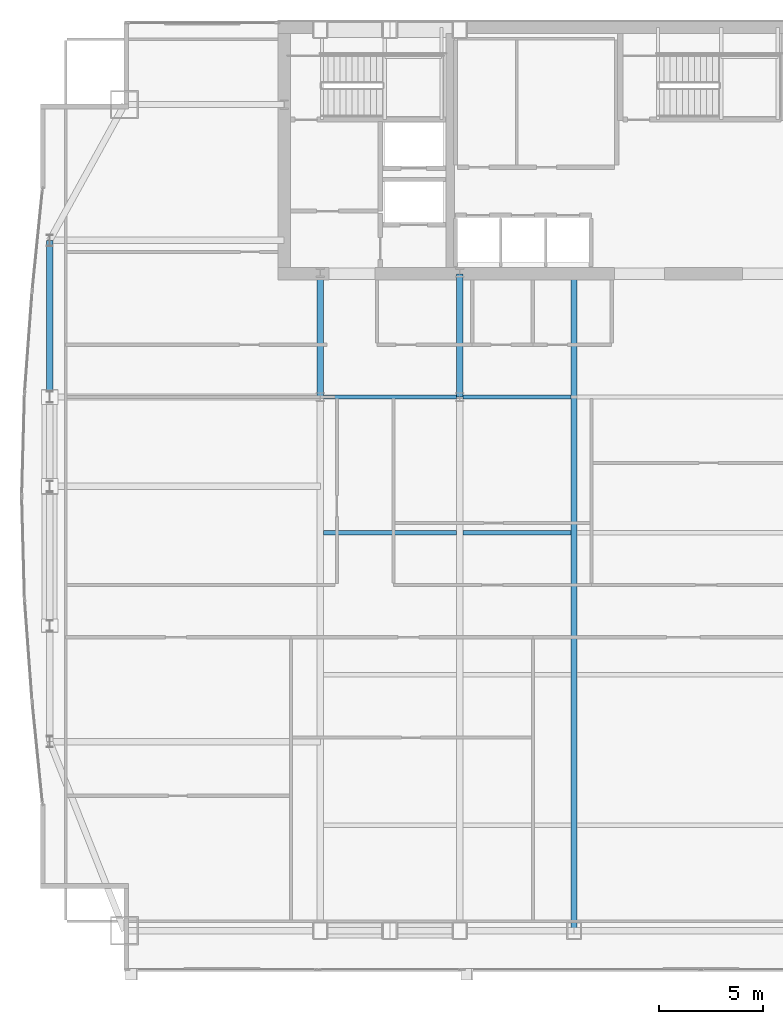
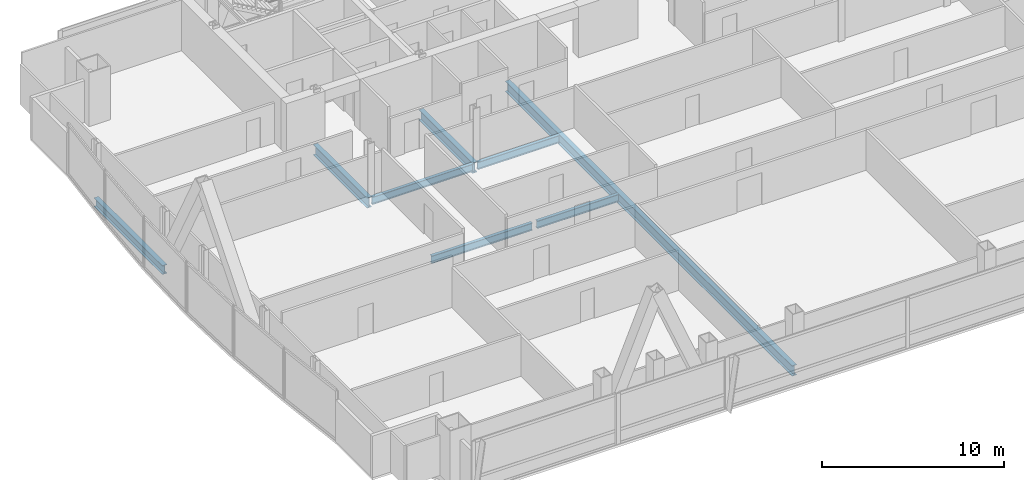
# One storey, part 12 of 29: 8 beams.
"""IFC4 building model written with IfcOpenShell, lengths in metres."""

from ifc_helpers import new_model, si_unit, direction, frame, origin, origin_2d, place, context, subcontext, project, spatial, i_section, extrude, material, material_profile, profile_set, type_object, element, save


model = new_model("IFC4")

# Units and contexts
model_context = context("Model", 3, precision=1e-05, world=origin(), true_north=direction((0.0, 1.0)))
body_context = subcontext(model_context, "Body", "Model", "MODEL_VIEW")
ifc_project = project(units=[si_unit("LENGTHUNIT", "METRE"), si_unit("AREAUNIT", "SQUARE_METRE"), si_unit("VOLUMEUNIT", "CUBIC_METRE"), si_unit("PLANEANGLEUNIT", "RADIAN"), si_unit("MASSUNIT", "GRAM", prefix="KILO")], contexts=[model_context])

# Site, building, storey
site_placement = place(None, origin())
site = spatial("IfcSite", under=ifc_project, at=site_placement, CompositionType="ELEMENT")
building_placement = place(site_placement, origin())
building = spatial("IfcBuilding", under=site, at=building_placement, Name="Khoronbel Lancet Exchange", CompositionType="ELEMENT")
storey_placement = place(building_placement, frame((0.0, 0.0, 180.60009765625)))
storey = spatial("IfcBuildingStorey", under=building, at=storey_placement, Name="L45", CompositionType="ELEMENT", Elevation=180.60009765625)

# Beams
ifc_material = material(Name="Steel S355", Category="steel")
ifc_material_profile_1 = material_profile(ifc_material, i_section(OverallWidth=0.300048828125, OverallDepth=0.699951171875, WebThickness=0.01708984375, FlangeThickness=0.031982421875, at=origin_2d()), Name="HEB 700")
ifc_profile_set_1 = profile_set([ifc_material_profile_1], Name="Steel S355")
beam_type_1 = type_object("IfcBeamType", Name="BM-BG3", PredefinedType="BEAM", material=ifc_profile_set_1)
for number, where, z_axis, x_axis, name in (
    (1, (18.22509765625, 35.699951171875, -0.510009765625), (0.0, 1.0, 0.0), (-1.0, 0.0, 0.0), "Level L45 spine tie girder GN1"),
    (2, (24.89990234375, 35.699951171875, -0.510009765625), (0.0, 1.0, 0.0), (-1.0, 0.0, 0.0), "Level L45 spine tie girder GN2"),
):
    element("IfcBeam", number, at=place(storey_placement, frame(where, z_axis=z_axis, x_axis=x_axis)), inside=storey, type_object=beam_type_1, Name=name, PredefinedType="BEAM", context=body_context, shape_type="SweptSolid", body=[
        extrude(i_section(OverallWidth=0.300048828125, OverallDepth=0.699951171875, WebThickness=0.01708984375, FlangeThickness=0.031982421875, at=origin_2d()), origin(), (0.0, 0.0, 1.0), 5.900146484375),
    ])
beam_1_placement = place(storey_placement, frame((30.375, 10.14990234375, -0.510009765625), z_axis=(0.0, 1.0, 0.0), x_axis=(-1.0, 0.0, 0.0)))
element("IfcBeam", 3, at=beam_1_placement, inside=storey, type_object=beam_type_1, Name="Level L45 primary floor girder G3", PredefinedType="BEAM", context=body_context, shape_type="SweptSolid", body=[
    extrude(i_section(OverallWidth=0.300048828125, OverallDepth=0.699951171875, WebThickness=0.01708984375, FlangeThickness=0.031982421875, at=origin_2d()), origin(), (0.0, 0.0, 1.0), 31.4501953125),
])
ifc_material_profile_2 = material_profile(ifc_material, i_section(OverallWidth=0.199951171875, OverallDepth=0.5, WebThickness=0.01025390625, FlangeThickness=0.01611328125, at=origin_2d()), Name="IPE 500")
ifc_profile_set_2 = profile_set([ifc_material_profile_2], Name="Steel S355")
beam_type_2 = type_object("IfcBeamType", Name="BM-BJ3", PredefinedType="JOIST", material=ifc_profile_set_2)
beam_2_placement = place(storey_placement, frame((18.375, 29.199951171875, -0.41015625), z_axis=(1.0, 0.0, 0.0), x_axis=(0.0, 1.0, 0.0)))
element("IfcBeam", 4, at=beam_2_placement, inside=storey, type_object=beam_type_2, Name="Level L45 secondary composite joist J11", PredefinedType="JOIST", context=body_context, shape_type="SweptSolid", body=[
    extrude(i_section(OverallWidth=0.199951171875, OverallDepth=0.5, WebThickness=0.01025390625, FlangeThickness=0.01611328125, at=origin_2d()), origin(), (0.0, 0.0, 1.0), 6.375),
])
beam_3_placement = place(storey_placement, frame((25.050048828125, 29.199951171875, -0.41015625), z_axis=(1.0, 0.0, 0.0), x_axis=(0.0, 1.0, 0.0)))
element("IfcBeam", 5, at=beam_3_placement, inside=storey, type_object=beam_type_2, Name="Level L45 secondary composite joist J12", PredefinedType="JOIST", context=body_context, shape_type="SweptSolid", body=[
    extrude(i_section(OverallWidth=0.199951171875, OverallDepth=0.5, WebThickness=0.01025390625, FlangeThickness=0.01611328125, at=origin_2d()), origin(), (0.0, 0.0, 1.0), 5.175048828125),
])
beam_4_placement = place(storey_placement, frame((18.375, 35.699951171875, -0.41015625), z_axis=(1.0, 0.0, 0.0), x_axis=(0.0, 1.0, 0.0)))
element("IfcBeam", 6, at=beam_4_placement, inside=storey, type_object=beam_type_2, Name="Level L45 secondary composite joist J16", PredefinedType="JOIST", context=body_context, shape_type="SweptSolid", body=[
    extrude(i_section(OverallWidth=0.199951171875, OverallDepth=0.5, WebThickness=0.01025390625, FlangeThickness=0.01611328125, at=origin_2d()), origin(), (0.0, 0.0, 1.0), 6.375),
])
beam_5_placement = place(storey_placement, frame((25.050048828125, 35.699951171875, -0.41015625), z_axis=(1.0, 0.0, 0.0), x_axis=(0.0, 1.0, 0.0)))
element("IfcBeam", 7, at=beam_5_placement, inside=storey, type_object=beam_type_2, Name="Level L45 secondary composite joist J17", PredefinedType="JOIST", context=body_context, shape_type="SweptSolid", body=[
    extrude(i_section(OverallWidth=0.199951171875, OverallDepth=0.5, WebThickness=0.01025390625, FlangeThickness=0.01611328125, at=origin_2d()), origin(), (0.0, 0.0, 1.0), 5.175048828125),
])
ifc_material_profile_3 = material_profile(ifc_material, i_section(OverallWidth=0.300048828125, OverallDepth=0.60009765625, WebThickness=0.015380859375, FlangeThickness=0.030029296875, at=origin_2d()), Name="HEB 600")
ifc_profile_set_3 = profile_set([ifc_material_profile_3], Name="Steel S355")
beam_type_3 = type_object("IfcBeamType", Name="BM-BSP2", PredefinedType="SPANDREL", material=ifc_profile_set_3)
beam_6_placement = place(storey_placement, frame((5.27001953125, 43.199951171875, -0.460205078125), z_axis=(0.0, -1.0, 0.0), x_axis=(1.0, 0.0, 0.0)))
element("IfcBeam", 8, at=beam_6_placement, inside=storey, type_object=beam_type_3, Name="Level L45 perimeter spandrel beam SP17", PredefinedType="SPANDREL", context=body_context, shape_type="SweptSolid", body=[
    extrude(i_section(OverallWidth=0.300048828125, OverallDepth=0.60009765625, WebThickness=0.015380859375, FlangeThickness=0.030029296875, at=origin_2d()), origin(), (0.0, 0.0, 1.0), 7.5),
])

save(model, "model.ifc")
